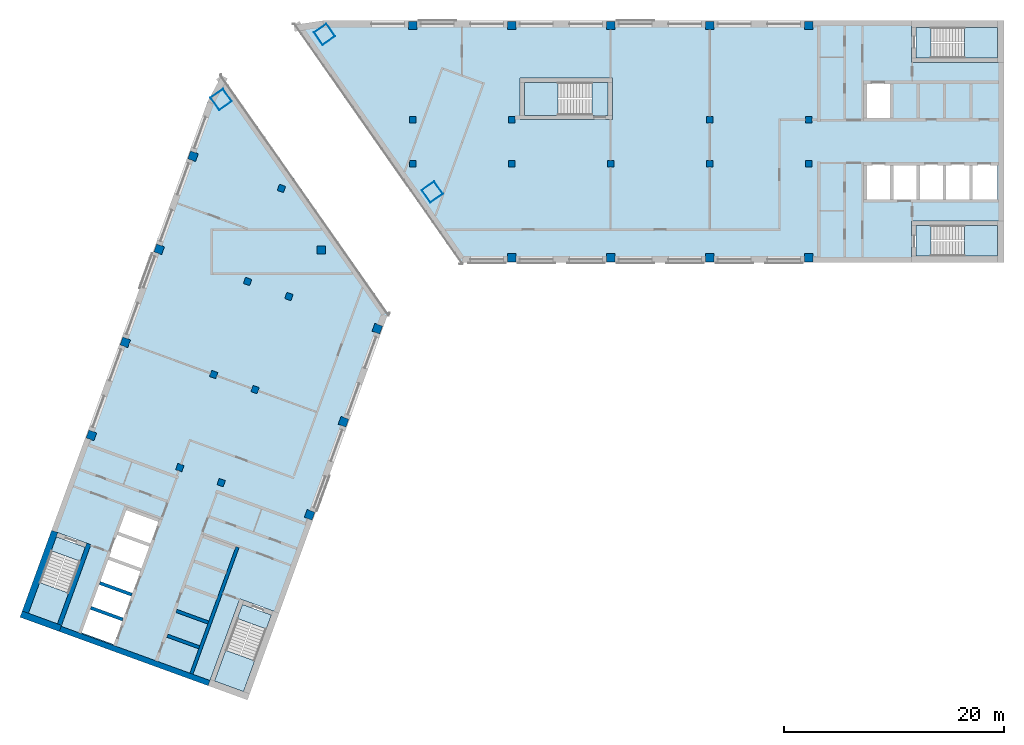
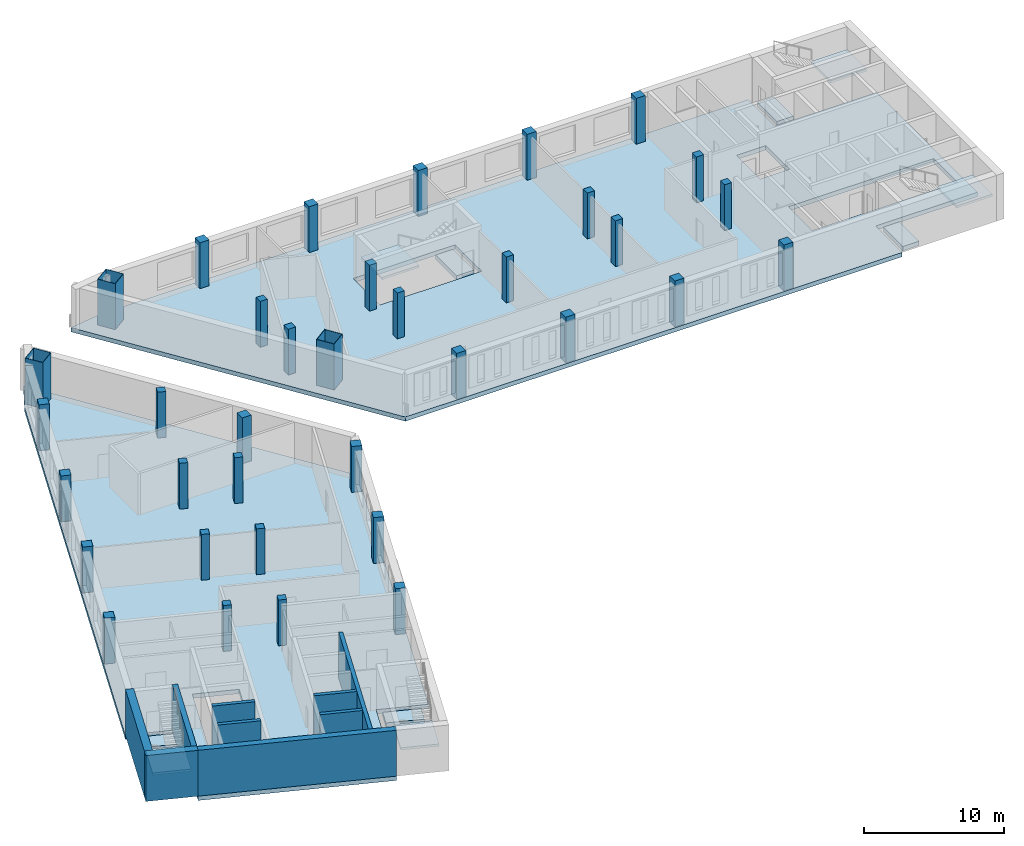
# One storey, part 1 of 7: 36 columns, 12 slabs, 9 walls, 5 elements without a shape of their own.
"""IFC4 building model written with IfcOpenShell, lengths in metres."""

from ifc_helpers import new_model, si_unit, direction, frame, frame_2d, origin, origin_2d, place, context, subcontext, project, spatial, polyline, rectangle, hollow_rectangle, outline, extrude, material, layer, layer_set, material_profile, profile_set, type_object, element, aggregate, save


model = new_model("IFC4")

# Units and contexts
model_context = context("Model", 3, precision=1e-05, world=origin(), true_north=direction((0.0, 1.0)))
body_context = subcontext(model_context, "Body", "Model", "MODEL_VIEW")
ifc_project = project(units=[si_unit("LENGTHUNIT", "METRE"), si_unit("AREAUNIT", "SQUARE_METRE"), si_unit("VOLUMEUNIT", "CUBIC_METRE"), si_unit("PLANEANGLEUNIT", "RADIAN"), si_unit("MASSUNIT", "GRAM", prefix="KILO")], contexts=[model_context])

# Site, building, storey
site_placement = place(None, origin())
site = spatial("IfcSite", under=ifc_project, at=site_placement, CompositionType="ELEMENT")
building_placement = place(site_placement, origin())
building = spatial("IfcBuilding", under=site, at=building_placement, Name="Skarvind Civic Tower", CompositionType="ELEMENT")
storey_placement = place(building_placement, frame((0.0, 0.0, 188.0)))
storey = spatial("IfcBuildingStorey", under=building, at=storey_placement, Name="L44", CompositionType="ELEMENT", Elevation=188.0)

# Columns
ifc_material_1 = material(Name="Concrete C60", Category="concrete")
ifc_material_profile_1 = material_profile(ifc_material_1, rectangle(XDim=0.60009765625, YDim=0.60009765625, at=origin_2d()), Name="RC-600x600")
ifc_profile_set_1 = profile_set([ifc_material_profile_1], Name="Concrete C60")
column_type_1 = type_object("IfcColumnType", Name="Column RC-600x600 C60", PredefinedType="COLUMN", material=ifc_profile_set_1)
for number, where, z_axis, x_axis, name in (
    (1, (54.25, 130.0, 0.0), (0.0, 0.0, 1.0), (1.0, 0.0, 0.0), "Column wing 1 north inner 02 L44"),
    (2, (63.25, 130.0, 0.0), (0.0, 0.0, 1.0), (1.0, 0.0, 0.0), "Column wing 1 north inner 03 L44"),
    (3, (81.25, 130.0, 0.0), (0.0, 0.0, 1.0), (1.0, 0.0, 0.0), "Column wing 1 north inner 05 L44"),
    (4, (90.25, 130.0, 0.0), (0.0, 0.0, 1.0), (1.0, 0.0, 0.0), "Column wing 1 north inner 06 L44"),
    (5, (54.25, 126.0, 0.0), (0.0, 0.0, 1.0), (1.0, 0.0, 0.0), "Column wing 1 south inner 02 L44"),
    (6, (63.25, 126.0, 0.0), (0.0, 0.0, 1.0), (1.0, 0.0, 0.0), "Column wing 1 south inner 03 L44"),
    (7, (72.25, 126.0, 0.0), (0.0, 0.0, 1.0), (1.0, 0.0, 0.0), "Column wing 1 south inner 04 L44"),
    (8, (81.25, 126.0, 0.0), (0.0, 0.0, 1.0), (1.0, 0.0, 0.0), "Column wing 1 south inner 05 L44"),
    (9, (90.25, 126.0, 0.0), (0.0, 0.0, 1.0), (1.0, 0.0, 0.0), "Column wing 1 south inner 06 L44"),
    (10, (43.005615234375, 113.92529296875, 0.0), (0.0, 0.0, 1.0), (-0.342020143326, -0.939692620786, 0.0), "Column wing 2 left inner 02 L44"),
    (11, (39.927490234375, 105.468017578125, 0.0), (0.0, 0.0, 1.0), (-0.342020143326, -0.939692620786, 0.0), "Column wing 2 left inner 03 L44"),
    (12, (36.84912109375, 97.010986328125, 0.0), (0.0, 0.0, 1.0), (-0.342020143326, -0.939692620786, 0.0), "Column wing 2 left inner 04 L44"),
    (13, (42.324951171875, 123.750732421875, 0.0), (0.0, 0.0, 1.0), (-0.342020143326, -0.939692620786, 0.0), "Column wing 2 right inner 01 L44"),
    (14, (39.246826171875, 115.29345703125, 0.0), (0.0, 0.0, 1.0), (-0.342020143326, -0.939692620786, 0.0), "Column wing 2 right inner 02 L44"),
    (15, (36.168701171875, 106.836181640625, 0.0), (0.0, 0.0, 1.0), (-0.342020143326, -0.939692620786, 0.0), "Column wing 2 right inner 03 L44"),
    (16, (33.090576171875, 98.37890625, 0.0), (0.0, 0.0, 1.0), (-0.342020143326, -0.939692620786, 0.0), "Column wing 2 right inner 04 L44"),
):
    element("IfcColumn", number, at=place(storey_placement, frame(where, z_axis=z_axis, x_axis=x_axis)), inside=storey, type_object=column_type_1, Name=name, PredefinedType="COLUMN", context=body_context, shape_type="SweptSolid", body=[
        extrude(rectangle(XDim=0.60009765625, YDim=0.60009765625, at=origin_2d()), origin(), (0.0, 0.0, 1.0), 4.0),
    ])
ifc_material_profile_2 = material_profile(ifc_material_1, rectangle(XDim=0.75, YDim=0.75, at=origin_2d()), Name="RC-750x750")
ifc_profile_set_2 = profile_set([ifc_material_profile_2], Name="Concrete C60")
column_type_2 = type_object("IfcColumnType", Name="Column RC-750x750 C60", PredefinedType="COLUMN", material=ifc_profile_set_2)
for number, where, z_axis, x_axis, name in (
    (17, (54.25, 138.550048828125, 0.0), (0.0, 0.0, 1.0), (1.0, 0.0, 0.0), "Column wing 1 north perimeter 02 L44"),
    (18, (63.25, 138.550048828125, 0.0), (0.0, 0.0, 1.0), (1.0, 0.0, 0.0), "Column wing 1 north perimeter 03 L44"),
    (19, (72.25, 138.550048828125, 0.0), (0.0, 0.0, 1.0), (1.0, 0.0, 0.0), "Column wing 1 north perimeter 04 L44"),
    (20, (81.25, 138.550048828125, 0.0), (0.0, 0.0, 1.0), (1.0, 0.0, 0.0), "Column wing 1 north perimeter 05 L44"),
    (21, (90.25, 138.550048828125, 0.0), (0.0, 0.0, 1.0), (1.0, 0.0, 0.0), "Column wing 1 north perimeter 06 L44"),
    (22, (45.95166015625, 118.151611328125, 0.0), (0.0, 0.0, 1.0), (1.0, 0.0, 0.0), "Column wing 1 south perimeter 01 L44"),
    (23, (63.25, 117.449951171875, 0.0), (0.0, 0.0, 1.0), (1.0, 0.0, 0.0), "Column wing 1 south perimeter 03 L44"),
    (24, (72.25, 117.449951171875, 0.0), (0.0, 0.0, 1.0), (1.0, 0.0, 0.0), "Column wing 1 south perimeter 04 L44"),
    (25, (81.25, 117.449951171875, 0.0), (0.0, 0.0, 1.0), (1.0, 0.0, 0.0), "Column wing 1 south perimeter 05 L44"),
    (26, (90.25, 117.449951171875, 0.0), (0.0, 0.0, 1.0), (1.0, 0.0, 0.0), "Column wing 1 south perimeter 06 L44"),
    (27, (51.0400390625, 111.0009765625, 0.0), (0.0, 0.0, 1.0), (-0.342020143326, -0.939692620786, 0.0), "Column wing 2 left perimeter 02 L44"),
    (28, (47.961669921875, 102.5439453125, 0.0), (0.0, 0.0, 1.0), (-0.342020143326, -0.939692620786, 0.0), "Column wing 2 left perimeter 03 L44"),
    (29, (44.883544921875, 94.086669921875, 0.0), (0.0, 0.0, 1.0), (-0.342020143326, -0.939692620786, 0.0), "Column wing 2 left perimeter 04 L44"),
    (30, (34.29052734375, 126.6748046875, 0.0), (0.0, 0.0, 1.0), (-0.342020143326, -0.939692620786, 0.0), "Column wing 2 right perimeter 01 L44"),
    (31, (31.21240234375, 118.2177734375, 0.0), (0.0, 0.0, 1.0), (-0.342020143326, -0.939692620786, 0.0), "Column wing 2 right perimeter 02 L44"),
    (32, (28.13427734375, 109.760498046875, 0.0), (0.0, 0.0, 1.0), (-0.342020143326, -0.939692620786, 0.0), "Column wing 2 right perimeter 03 L44"),
    (33, (25.05615234375, 101.30322265625, 0.0), (0.0, 0.0, 1.0), (-0.342020143326, -0.939692620786, 0.0), "Column wing 2 right perimeter 04 L44"),
):
    element("IfcColumn", number, at=place(storey_placement, frame(where, z_axis=z_axis, x_axis=x_axis)), inside=storey, type_object=column_type_2, Name=name, PredefinedType="COLUMN", context=body_context, shape_type="SweptSolid", body=[
        extrude(rectangle(XDim=0.75, YDim=0.75, at=origin_2d()), origin(), (0.0, 0.0, 1.0), 4.0),
    ])
ifc_material_2 = material(Name="Composite concrete-filled steel tube, Steel SM355 with Concrete C60", Category="concrete")
ifc_material_profile_3 = material_profile(ifc_material_2, hollow_rectangle(XDim=1.39990234375, YDim=1.39990234375, WallThickness=0.031982421875, at=origin_2d()), Name="BOX-1400x1400x32")
ifc_profile_set_3 = profile_set([ifc_material_profile_3], Name="Composite concrete-filled steel tube, Steel SM355 with Concrete C60")
column_type_3 = type_object("IfcColumnType", Name="Mega column BOX-1400x1400x32 filled C60", PredefinedType="COLUMN", material=ifc_profile_set_3)
for number, where, z_axis, x_axis, name in (
    (34, (36.845947265625, 131.837646484375, 0.0), (0.0, 0.0, 1.0), (0.573576436351, -0.819152044289, 0.0), "Mega column 1 L44"),
    (35, (46.2470703125, 137.762451171875, 0.0), (0.0, 0.0, 1.0), (0.573576436351, -0.819152044289, 0.0), "Mega column 2 L44"),
    (36, (56.0361328125, 123.43017578125, 0.0), (0.0, 0.0, 1.0), (0.573576436351, -0.819152044289, 0.0), "Mega column 4 L44"),
):
    element("IfcColumn", number, at=place(storey_placement, frame(where, z_axis=z_axis, x_axis=x_axis)), inside=storey, type_object=column_type_3, Name=name, PredefinedType="COLUMN", context=body_context, shape_type="SweptSolid", body=[
        extrude(hollow_rectangle(XDim=1.39990234375, YDim=1.39990234375, WallThickness=0.031982421875, at=origin_2d()), origin(), (0.0, 0.0, 1.0), 4.0),
    ])

# Slabs
ifc_material_3 = material(Name="Concrete C50", Category="concrete")
ifc_layer_1 = layer(ifc_material_3, 0.375)
ifc_layer_set_1 = layer_set([ifc_layer_1], Name="Floor slab 375 C50")
slab_type_1 = type_object("IfcSlabType", Name="Floor slab 375 C50", PredefinedType="FLOOR", material=ifc_layer_set_1)
slab_1_placement = place(storey_placement, frame((0.0, 0.0, -0.375)))
element("IfcSlab", 37, at=slab_1_placement, inside=storey, type_object=slab_type_1, Name="Floor slab L44 1", PredefinedType="FLOOR", context=body_context, shape_type="SweptSolid", body=[
    extrude(outline(polyline([(108.0, 135.199951171875), (99.60009765625, 135.199951171875), (99.60009765625, 139.0), (46.095458984375, 139.0), (43.455810546875, 138.607421875), (58.58544921875, 117.0), (99.60009765625, 117.0), (99.60009765625, 120.800048828125), (108.0, 120.800048828125), (108.0, 135.199951171875)]), holes=[polyline([(64.0, 130.0), (64.0, 133.800048828125), (72.39990234375, 133.800048828125), (72.39990234375, 130.0), (64.0, 130.0)]), polyline([(100.199951171875, 126.0), (102.60009765625, 126.0), (105.0, 126.0), (107.39990234375, 126.0), (107.39990234375, 122.60009765625), (105.0, 122.60009765625), (102.60009765625, 122.60009765625), (100.199951171875, 122.60009765625), (97.800048828125, 122.60009765625), (95.39990234375, 122.60009765625), (95.39990234375, 126.0), (97.800048828125, 126.0), (100.199951171875, 126.0)]), polyline([(97.800048828125, 130.0), (95.39990234375, 130.0), (95.39990234375, 133.39990234375), (97.800048828125, 133.39990234375), (97.800048828125, 130.0)])]), origin(), (0.0, 0.0, 1.0), 0.375),
])
slab_2_placement = place(storey_placement, frame((0.0, 0.0, -0.375)))
element("IfcSlab", 38, at=slab_2_placement, inside=storey, type_object=slab_type_1, Name="Floor slab L44 2", PredefinedType="FLOOR", context=body_context, shape_type="SweptSolid", body=[
    extrude(outline(polyline([(36.886474609375, 78.108154296875), (35.664794921875, 78.552734375), (38.53759765625, 86.4462890625), (42.108642578125, 85.146484375), (40.0908203125, 79.602294921875), (40.0908203125, 79.602294921875), (52.0322265625, 112.411376953125), (36.902587890625, 134.018798828125), (35.630615234375, 131.672607421875), (19.41748046875, 87.126708984375), (21.435302734375, 92.6708984375), (25.006103515625, 91.371337890625), (22.13330078125, 83.477783203125), (36.886474609375, 78.108154296875)]), holes=[polyline([(25.671630859375, 87.9365234375), (26.492431640625, 90.19189453125), (27.313232421875, 92.447021484375), (28.134033203125, 94.702392578125), (31.3291015625, 93.53955078125), (30.50830078125, 91.2841796875), (29.6875, 89.029052734375), (28.866455078125, 86.773681640625), (28.866455078125, 86.773681640625), (28.045654296875, 84.5185546875), (27.224853515625, 82.26318359375), (24.02978515625, 83.426025390625), (24.8505859375, 85.681396484375), (25.671630859375, 87.9365234375), (25.671630859375, 87.9365234375)])]), origin(), (0.0, 0.0, 1.0), 0.375),
])
ifc_material_4 = material(Name="Concrete C40/50", Category="concrete")
ifc_layer_2 = layer(ifc_material_4, 0.375)
ifc_layer_set_2 = layer_set([ifc_layer_2], Name="Stair floor landing slab 375")
slab_type_2 = type_object("IfcSlabType", Name="Stair floor landing slab 375", PredefinedType="LANDING", material=ifc_layer_set_2)
slab_3_placement = place(storey_placement, frame((0.0, 0.0, -0.375)))
element("IfcSlab", 39, at=slab_3_placement, inside=storey, type_object=slab_type_2, Name="Stair floor landing", PredefinedType="LANDING", context=body_context, shape_type="SweptSolid", body=[
    extrude(outline(polyline([(101.3505859375, 138.400634765625), (101.3505859375, 135.599365234375), (99.99951171875, 135.599365234375), (99.99951171875, 138.400634765625), (101.3505859375, 138.400634765625)])), origin(), (0.0, 0.0, 1.0), 0.375),
])
slab_4_placement = place(storey_placement, frame((0.0, 0.0, -0.375)))
element("IfcSlab", 40, at=slab_4_placement, inside=storey, type_object=slab_type_2, Name="Stair floor landing", PredefinedType="LANDING", context=body_context, shape_type="SweptSolid", body=[
    extrude(outline(polyline([(101.3505859375, 120.400634765625), (101.3505859375, 117.599365234375), (99.99951171875, 117.599365234375), (99.99951171875, 120.400634765625), (101.3505859375, 120.400634765625)])), origin(), (0.0, 0.0, 1.0), 0.375),
])
slab_5_placement = place(storey_placement, frame((0.0, 0.0, -0.375)))
element("IfcSlab", 41, at=slab_5_placement, inside=storey, type_object=slab_type_2, Name="Stair floor landing", PredefinedType="LANDING", context=body_context, shape_type="SweptSolid", body=[
    extrude(outline(polyline([(40.946533203125, 83.70654296875), (38.314208984375, 84.66455078125), (38.7763671875, 85.934326171875), (41.40869140625, 84.976318359375), (40.946533203125, 83.70654296875)])), origin(), (0.0, 0.0, 1.0), 0.375),
])
slab_6_placement = place(storey_placement, frame((0.0, 0.0, -0.375)))
element("IfcSlab", 42, at=slab_6_placement, inside=storey, type_object=slab_type_2, Name="Stair floor landing", PredefinedType="LANDING", context=body_context, shape_type="SweptSolid", body=[
    extrude(outline(polyline([(24.0322265625, 89.863037109375), (21.39990234375, 90.821044921875), (21.862060546875, 92.090576171875), (24.494384765625, 91.132568359375), (24.0322265625, 89.863037109375)])), origin(), (0.0, 0.0, 1.0), 0.375),
])
slab_7_placement = place(storey_placement, frame((0.0, 0.0, -0.375)))
element("IfcSlab", 43, at=slab_7_placement, inside=storey, type_object=slab_type_2, Name="Stair floor landing", PredefinedType="LANDING", context=body_context, shape_type="SweptSolid", body=[
    extrude(outline(polyline([(70.54931640625, 130.3994140625), (70.54931640625, 133.400634765625), (72.00048828125, 133.400634765625), (72.00048828125, 130.3994140625), (70.54931640625, 130.3994140625)])), origin(), (0.0, 0.0, 1.0), 0.375),
])

# Stair, slab
stair_type_1 = type_object("IfcStairType", Name="Exit stair, half-turn, concrete", PredefinedType="HALF_TURN_STAIR", material=ifc_material_4)
stair_1_placement = place(storey_placement, origin())
stair_1 = element("IfcStair", 44, at=stair_1_placement, inside=storey, type_object=stair_type_1, Name="Exit stair C1S", PredefinedType="HALF_TURN_STAIR")
ifc_layer_3 = layer(ifc_material_4, 0.199951171875)
ifc_layer_set_3 = layer_set([ifc_layer_3], Name="Stair half landing slab")
slab_type_3 = type_object("IfcSlabType", Name="Stair half landing slab", PredefinedType="LANDING", material=ifc_layer_set_3)
slab_8_placement = place(storey_placement, frame((0.0, 0.0, 1.800048828125)))
slab_8 = element("IfcSlab", 45, at=slab_8_placement, type_object=slab_type_3, Name="ST-C1S landing 1", PredefinedType="LANDING", context=body_context, shape_type="SweptSolid", body=[
    extrude(outline(polyline([(104.429443359375, 135.599365234375), (104.429443359375, 138.400634765625), (107.400634765625, 138.400634765625), (107.400634765625, 135.599365234375), (104.429443359375, 135.599365234375)])), origin(), (0.0, 0.0, 1.0), 0.199951171875),
])
aggregate(stair_1, [slab_8])

stair_2_placement = place(storey_placement, origin())
stair_2 = element("IfcStair", 46, at=stair_2_placement, inside=storey, type_object=stair_type_1, Name="Exit stair C1N", PredefinedType="HALF_TURN_STAIR")
slab_9_placement = place(storey_placement, frame((0.0, 0.0, 1.800048828125)))
slab_9 = element("IfcSlab", 47, at=slab_9_placement, type_object=slab_type_3, Name="ST-C1N landing 1", PredefinedType="LANDING", context=body_context, shape_type="SweptSolid", body=[
    extrude(outline(polyline([(104.429443359375, 117.599365234375), (104.429443359375, 120.400634765625), (107.400634765625, 120.400634765625), (107.400634765625, 117.599365234375), (104.429443359375, 117.599365234375)])), origin(), (0.0, 0.0, 1.0), 0.199951171875),
])
aggregate(stair_2, [slab_9])

stair_3_placement = place(storey_placement, origin())
stair_3 = element("IfcStair", 48, at=stair_3_placement, inside=storey, type_object=stair_type_1, Name="Exit stair C2S", PredefinedType="HALF_TURN_STAIR")
slab_10_placement = place(storey_placement, frame((0.0, 0.0, 1.800048828125)))
slab_10 = element("IfcSlab", 49, at=slab_10_placement, type_object=slab_type_3, Name="ST-C2S landing 1", PredefinedType="LANDING", context=body_context, shape_type="SweptSolid", body=[
    extrude(outline(polyline([(37.26123046875, 81.771484375), (39.8935546875, 80.8134765625), (38.87744140625, 78.021484375), (36.2451171875, 78.9794921875), (37.26123046875, 81.771484375)])), origin(), (0.0, 0.0, 1.0), 0.199951171875),
])
aggregate(stair_3, [slab_10])

stair_4_placement = place(storey_placement, origin())
stair_4 = element("IfcStair", 50, at=stair_4_placement, inside=storey, type_object=stair_type_1, Name="Exit stair C2N", PredefinedType="HALF_TURN_STAIR")
slab_11_placement = place(storey_placement, frame((0.0, 0.0, 1.800048828125)))
slab_11 = element("IfcSlab", 51, at=slab_11_placement, type_object=slab_type_3, Name="ST-C2N landing 1", PredefinedType="LANDING", context=body_context, shape_type="SweptSolid", body=[
    extrude(outline(polyline([(20.346923828125, 87.927734375), (22.97900390625, 86.9697265625), (21.962890625, 84.177734375), (19.33056640625, 85.1357421875), (20.346923828125, 87.927734375)])), origin(), (0.0, 0.0, 1.0), 0.199951171875),
])
aggregate(stair_4, [slab_11])

stair_type_2 = type_object("IfcStairType", Name="Exit stair 1450, half-turn, concrete", PredefinedType="HALF_TURN_STAIR", material=ifc_material_4)
stair_5_placement = place(storey_placement, origin())
stair_5 = element("IfcStair", 52, at=stair_5_placement, inside=storey, type_object=stair_type_2, Name="Exit stair CM", PredefinedType="HALF_TURN_STAIR")
slab_12_placement = place(storey_placement, frame((0.0, 0.0, 1.800048828125)))
slab_12 = element("IfcSlab", 53, at=slab_12_placement, type_object=slab_type_3, Name="ST-CM landing 1", PredefinedType="LANDING", context=body_context, shape_type="SweptSolid", body=[
    extrude(outline(polyline([(67.470703125, 133.400634765625), (67.470703125, 130.3994140625), (64.3994140625, 130.3994140625), (64.3994140625, 133.400634765625), (67.470703125, 133.400634765625)])), origin(), (0.0, 0.0, 1.0), 0.199951171875),
])
aggregate(stair_5, [slab_12])

# Walls
ifc_layer_4 = layer(ifc_material_1, 0.300048828125)
ifc_layer_set_4 = layer_set([ifc_layer_4], Name="Core wall 300 C60")
wall_type_1 = type_object("IfcWallType", Name="Core wall 300 C60", PredefinedType="SHEAR", material=ifc_layer_set_4)
wall_1_placement = place(storey_placement, frame((34.144287109375, 79.638427734375, 0.0), z_axis=(0.0, 0.0, 1.0), x_axis=(0.342016684409, 0.939693879721, 0.0)))
element("IfcWall", 54, at=wall_1_placement, inside=storey, type_object=wall_type_1, Name="Core wall C2 south lift row back L44", PredefinedType="SHEAR", context=body_context, shape_type="SweptSolid", body=[
    extrude(rectangle(XDim=12.25, YDim=0.300048828125, at=frame_2d((6.125, 0.0))), origin(), (0.0, 0.0, 1.0), 4.0),
])
wall_2_placement = place(storey_placement, frame((34.8583984375, 82.038818359375, 0.0), z_axis=(0.0, 0.0, 1.0), x_axis=(-0.939689908313, 0.342027595692, 0.0)))
element("IfcWall", 55, at=wall_2_placement, inside=storey, type_object=wall_type_1, Name="Core wall C2 south lift row division 1 L44", PredefinedType="SHEAR", context=body_context, shape_type="SweptSolid", body=[
    extrude(rectangle(XDim=3.10009765625, YDim=0.300048828125, at=frame_2d((1.550048828125, 0.0))), origin(), (0.0, 0.0, 1.0), 4.0),
])
wall_3_placement = place(storey_placement, frame((35.67919921875, 84.294189453125, 0.0), z_axis=(0.0, 0.0, 1.0), x_axis=(-0.939706007505, 0.341983361377, 0.0)))
element("IfcWall", 56, at=wall_3_placement, inside=storey, type_object=wall_type_1, Name="Core wall C2 south lift row division 2 L44", PredefinedType="SHEAR", context=body_context, shape_type="SweptSolid", body=[
    extrude(rectangle(XDim=3.099853515625, YDim=0.300048828125, at=frame_2d((1.5498046875, 0.0))), origin(), (0.0, 0.0, 1.0), 4.0),
])
for number, where, z_axis, x_axis, name in (
    (57, (27.90478515625, 84.56982421875, 0.0), (0.0, 0.0, 1.0), (-0.939689908313, 0.342027595692, 0.0), "Core wall C2 north lift row division 1 L44"),
    (58, (28.7255859375, 86.824951171875, 0.0), (0.0, 0.0, 1.0), (-0.939689908313, 0.342027595692, 0.0), "Core wall C2 north lift row division 2 L44"),
):
    element("IfcWall", number, at=place(storey_placement, frame(where, z_axis=z_axis, x_axis=x_axis)), inside=storey, type_object=wall_type_1, Name=name, PredefinedType="SHEAR", context=body_context, shape_type="SweptSolid", body=[
        extrude(rectangle(XDim=3.10009765625, YDim=0.300048828125, at=frame_2d((1.550048828125, 0.0))), origin(), (0.0, 0.0, 1.0), 4.0),
    ])
ifc_layer_5 = layer(ifc_material_1, 0.39990234375)
ifc_layer_set_5 = layer_set([ifc_layer_5], Name="Core wall 400 C60")
wall_type_2 = type_object("IfcWallType", Name="Core wall 400 C60", PredefinedType="SHEAR", material=ifc_layer_set_5)
wall_4_placement = place(storey_placement, frame((22.150390625, 84.110107421875, 0.0), z_axis=(0.0, 0.0, 1.0), x_axis=(0.342016982193, 0.939693771338, 0.0)))
element("IfcWall", 59, at=wall_4_placement, inside=storey, type_object=wall_type_2, Name="Core wall C2 north stair inner L44", PredefinedType="SHEAR", context=body_context, shape_type="SweptSolid", body=[
    extrude(rectangle(XDim=7.800048828125, YDim=0.39990234375, at=frame_2d((3.89990234375, 0.0))), origin(), (0.0, 0.0, 1.0), 4.0),
])
ifc_layer_6 = layer(ifc_material_1, 0.5)
ifc_layer_set_6 = layer_set([ifc_layer_6], Name="Core wall 500 C60")
wall_type_3 = type_object("IfcWallType", Name="Core wall 500 C60", PredefinedType="SHEAR", material=ifc_layer_set_6)
wall_5_placement = place(storey_placement, frame((35.750244140625, 78.787841796875, 0.0), z_axis=(0.0, 0.0, 1.0), x_axis=(-0.939692894512, 0.342019391267, 0.0)))
element("IfcWall", 60, at=wall_5_placement, inside=storey, type_object=wall_type_3, Name="Core wall C2 tip between the stairs L44", PredefinedType="SHEAR", context=body_context, shape_type="SweptSolid", body=[
    extrude(rectangle(XDim=14.39990234375, YDim=0.5, at=frame_2d((7.199951171875, 0.0))), origin(), (0.0, 0.0, 1.0), 4.0),
])
ifc_layer_7 = layer(ifc_material_1, 0.60009765625)
ifc_layer_set_7 = layer_set([ifc_layer_7], Name="Core wall 600 C60")
wall_type_4 = type_object("IfcWallType", Name="Core wall 600 C60", PredefinedType="SHEAR", material=ifc_layer_set_7)
wall_6_placement = place(storey_placement, frame((22.23583984375, 83.759765625, 0.0), z_axis=(0.0, 0.0, 1.0), x_axis=(-0.939680822529, 0.342052557032, 0.0)))
element("IfcWall", 61, at=wall_6_placement, inside=storey, type_object=wall_type_4, Name="Core wall C2 tip at the north stair L44", PredefinedType="SHEAR", context=body_context, shape_type="SweptSolid", body=[
    extrude(rectangle(XDim=3.800048828125, YDim=0.60009765625, at=frame_2d((1.89990234375, 0.0))), origin(), (0.0, 0.0, 1.0), 4.0),
])
wall_7_placement = place(storey_placement, frame((19.049560546875, 85.23876953125, 0.0), z_axis=(0.0, 0.0, 1.0), x_axis=(0.342016982193, 0.939693771338, 0.0)))
element("IfcWall", 62, at=wall_7_placement, inside=storey, type_object=wall_type_4, Name="Core wall C2 north side at the stair L44", PredefinedType="SHEAR", context=body_context, shape_type="SweptSolid", body=[
    extrude(rectangle(XDim=7.800048828125, YDim=0.60009765625, at=frame_2d((3.89990234375, 0.0))), origin(), (0.0, 0.0, 1.0), 4.0),
])

save(model, "model.ifc")
